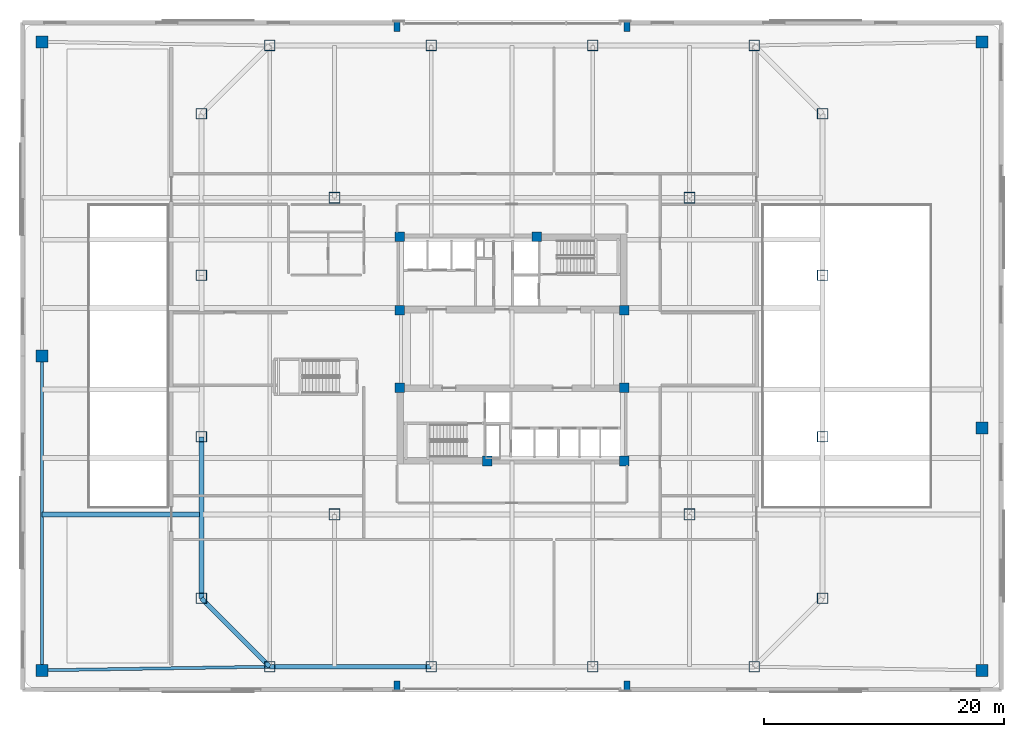
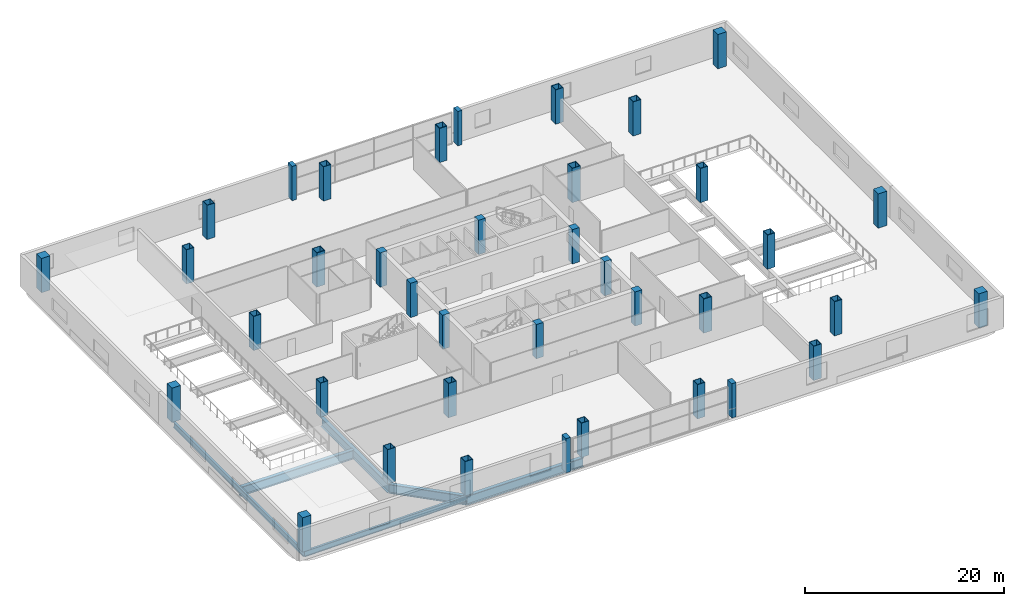
# One storey, part 1 of 21: 38 columns, 6 beams.
"""IFC4 building model written with IfcOpenShell, lengths in metres."""

from ifc_helpers import new_model, si_unit, direction, frame, origin, origin_2d, place, context, subcontext, project, spatial, rectangle, hollow_rectangle, i_section, extrude, material, material_profile, profile_set, type_object, element, save


model = new_model("IFC4")

# Units and contexts
model_context = context("Model", 3, precision=1e-05, world=origin(), true_north=direction((0.0, 1.0)))
body_context = subcontext(model_context, "Body", "Model", "MODEL_VIEW")
ifc_project = project(units=[si_unit("LENGTHUNIT", "METRE"), si_unit("AREAUNIT", "SQUARE_METRE"), si_unit("VOLUMEUNIT", "CUBIC_METRE"), si_unit("PLANEANGLEUNIT", "RADIAN"), si_unit("MASSUNIT", "GRAM", prefix="KILO")], contexts=[model_context])

# Site, building, storey
site_placement = place(None, origin())
site = spatial("IfcSite", under=ifc_project, at=site_placement, CompositionType="ELEMENT")
building_placement = place(site_placement, origin())
building = spatial("IfcBuilding", under=site, at=building_placement, Name="Qhalaya Broadcast Tower", CompositionType="ELEMENT")
storey_placement = place(building_placement, frame((0.0, 0.0, 9.300048828125)))
storey = spatial("IfcBuildingStorey", under=building, at=storey_placement, Name="L02", CompositionType="ELEMENT", Elevation=9.300048828125)

# Columns
ifc_material_1 = material(Name="Concrete C60/75", Category="concrete")
ifc_material_profile_1 = material_profile(ifc_material_1, rectangle(XDim=0.5, YDim=0.85009765625, at=origin_2d()), Name="RC-PIL 500x850")
ifc_profile_set_1 = profile_set([ifc_material_profile_1], Name="Concrete C60/75")
column_type_1 = type_object("IfcColumnType", Name="Concourse Portal Pilaster CP1", PredefinedType="PILASTER", material=ifc_profile_set_1)
for number, where, z_axis, x_axis, name in (
    (1, (-9.60009765625, -27.5, 0.0), (0.0, 0.0, 1.0), (1.0, 0.0, 0.0), "L02 Column PIL-PL1"),
    (2, (9.60009765625, -27.5, 0.0), (0.0, 0.0, 1.0), (1.0, 0.0, 0.0), "L02 Column PIL-PL2"),
    (3, (-9.60009765625, 27.5, 0.0), (0.0, 0.0, 1.0), (1.0, 0.0, 0.0), "L02 Column PIL-PL3"),
    (4, (9.60009765625, 27.5, 0.0), (0.0, 0.0, 1.0), (1.0, 0.0, 0.0), "L02 Column PIL-PL4"),
):
    element("IfcColumn", number, at=place(storey_placement, frame(where, z_axis=z_axis, x_axis=x_axis)), inside=storey, type_object=column_type_1, Name=name, PredefinedType="PILASTER", context=body_context, shape_type="SweptSolid", body=[
        extrude(rectangle(XDim=0.5, YDim=0.85009765625, at=origin_2d()), origin(), (0.0, 0.0, 1.0), 4.199951171875),
    ])
ifc_material_profile_2 = material_profile(ifc_material_1, rectangle(XDim=1.0, YDim=1.0, at=origin_2d()), Name="RC-COL 1000x1000")
ifc_profile_set_2 = profile_set([ifc_material_profile_2], Name="Concrete C60/75")
column_type_2 = type_object("IfcColumnType", Name="RC Podium Column C09", PredefinedType="COLUMN", material=ifc_profile_set_2)
for number, where, z_axis, x_axis, name in (
    (5, (-39.199951171875, 0.0, 0.0), (0.0, 0.0, 1.0), (1.0, 0.0, 0.0), "L02 Column COL-E1"),
    (6, (39.199951171875, -6.0, 0.0), (0.0, 0.0, 1.0), (1.0, 0.0, 0.0), "L02 Column COL-E2"),
    (7, (-39.199951171875, -26.199951171875, 0.0), (0.0, 0.0, 1.0), (1.0, 0.0, 0.0), "L02 Column COL-E3"),
    (8, (39.199951171875, -26.199951171875, 0.0), (0.0, 0.0, 1.0), (1.0, 0.0, 0.0), "L02 Column COL-E4"),
    (9, (-39.199951171875, 26.199951171875, 0.0), (0.0, 0.0, 1.0), (1.0, 0.0, 0.0), "L02 Column COL-E5"),
    (10, (39.199951171875, 26.199951171875, 0.0), (0.0, 0.0, 1.0), (1.0, 0.0, 0.0), "L02 Column COL-E6"),
):
    element("IfcColumn", number, at=place(storey_placement, frame(where, z_axis=z_axis, x_axis=x_axis)), inside=storey, type_object=column_type_2, Name=name, PredefinedType="COLUMN", context=body_context, shape_type="SweptSolid", body=[
        extrude(rectangle(XDim=1.0, YDim=1.0, at=origin_2d()), origin(), (0.0, 0.0, 1.0), 4.199951171875),
    ])
ifc_material_2 = material(Name="Concrete C50/60", Category="concrete")
ifc_material_profile_3 = material_profile(ifc_material_2, rectangle(XDim=0.800048828125, YDim=0.800048828125, at=origin_2d()), Name="RC-COL 800x800")
ifc_profile_set_3 = profile_set([ifc_material_profile_3], Name="Concrete C50/60")
column_type_3 = type_object("IfcColumnType", Name="RC Upper Column C10", PredefinedType="COLUMN", material=ifc_profile_set_3)
for number, where, z_axis, x_axis, name in (
    (11, (-9.375, 9.949951171875, 0.0), (0.0, 0.0, 1.0), (1.0, 0.0, 0.0), "L02 Column COL-CC1"),
    (12, (2.050048828125, 9.949951171875, 0.0), (0.0, 0.0, 1.0), (1.0, 0.0, 0.0), "L02 Column COL-CC2"),
    (13, (-9.375, 3.824951171875, 0.0), (0.0, 0.0, 1.0), (1.0, 0.0, 0.0), "L02 Column COL-CC3"),
    (14, (9.375, 3.824951171875, 0.0), (0.0, 0.0, 1.0), (1.0, 0.0, 0.0), "L02 Column COL-CC4"),
    (15, (-9.375, -2.625, 0.0), (0.0, 0.0, 1.0), (1.0, 0.0, 0.0), "L02 Column COL-CC5"),
    (16, (9.375, -2.625, 0.0), (0.0, 0.0, 1.0), (1.0, 0.0, 0.0), "L02 Column COL-CC6"),
    (17, (-2.050048828125, -8.75, 0.0), (0.0, 0.0, 1.0), (1.0, 0.0, 0.0), "L02 Column COL-CC7"),
    (18, (9.375, -8.75, 0.0), (0.0, 0.0, 1.0), (1.0, 0.0, 0.0), "L02 Column COL-CC8"),
):
    element("IfcColumn", number, at=place(storey_placement, frame(where, z_axis=z_axis, x_axis=x_axis)), inside=storey, type_object=column_type_3, Name=name, PredefinedType="COLUMN", context=body_context, shape_type="SweptSolid", body=[
        extrude(rectangle(XDim=0.800048828125, YDim=0.800048828125, at=origin_2d()), origin(), (0.0, 0.0, 1.0), 4.199951171875),
    ])
ifc_material_3 = material(Name="Structural Steel ASTM A572 Grade 50", Category="steel")
ifc_material_profile_4 = material_profile(ifc_material_3, hollow_rectangle(XDim=0.949951171875, YDim=0.949951171875, WallThickness=0.06005859375, at=origin_2d()), Name="BOX 950x950x60")
ifc_profile_set_4 = profile_set([ifc_material_profile_4], Name="Structural Steel ASTM A572 Grade 50")
column_type_4 = type_object("IfcColumnType", Name="Steel Box Column C01", PredefinedType="COLUMN", material=ifc_profile_set_4)
for number, where, z_axis, x_axis, name in (
    (19, (-14.800048828125, -13.199951171875, 0.0), (0.0, 0.0, 1.0), (1.0, 0.0, 0.0), "L02 Column COL-GR1"),
    (20, (14.800048828125, -13.199951171875, 0.0), (0.0, 0.0, 1.0), (1.0, 0.0, 0.0), "L02 Column COL-GR2"),
    (21, (-14.800048828125, 13.199951171875, 0.0), (0.0, 0.0, 1.0), (1.0, 0.0, 0.0), "L02 Column COL-GR3"),
    (22, (14.800048828125, 13.199951171875, 0.0), (0.0, 0.0, 1.0), (1.0, 0.0, 0.0), "L02 Column COL-GR4"),
):
    element("IfcColumn", number, at=place(storey_placement, frame(where, z_axis=z_axis, x_axis=x_axis)), inside=storey, type_object=column_type_4, Name=name, PredefinedType="COLUMN", context=body_context, shape_type="SweptSolid", body=[
        extrude(hollow_rectangle(XDim=0.949951171875, YDim=0.949951171875, WallThickness=0.06005859375, at=origin_2d()), origin(), (0.0, 0.0, 1.0), 4.199951171875),
    ])
ifc_material_profile_5 = material_profile(ifc_material_3, hollow_rectangle(XDim=0.89990234375, YDim=0.89990234375, WallThickness=0.054931640625, at=origin_2d()), Name="BOX 900x900x55")
ifc_profile_set_5 = profile_set([ifc_material_profile_5], Name="Structural Steel ASTM A572 Grade 50")
column_type_5 = type_object("IfcColumnType", Name="Steel Box Column C02", PredefinedType="COLUMN", material=ifc_profile_set_5)
for number, where, z_axis, x_axis, name in (
    (23, (-20.199951171875, -25.89990234375, 0.0), (0.0, 0.0, 1.0), (1.0, 0.0, 0.0), "L02 Column COL-B1P01"),
    (24, (-6.7333984375, -25.89990234375, 0.0), (0.0, 0.0, 1.0), (1.0, 0.0, 0.0), "L02 Column COL-B1P02"),
    (25, (6.7333984375, -25.89990234375, 0.0), (0.0, 0.0, 1.0), (1.0, 0.0, 0.0), "L02 Column COL-B1P03"),
    (26, (20.199951171875, -25.89990234375, 0.0), (0.0, 0.0, 1.0), (1.0, 0.0, 0.0), "L02 Column COL-B1P04"),
    (27, (25.89990234375, -20.199951171875, 0.0), (0.0, 0.0, 1.0), (0.0, 1.0, 0.0), "L02 Column COL-B1P05"),
    (28, (25.89990234375, -6.7333984375, 0.0), (0.0, 0.0, 1.0), (0.0, 1.0, 0.0), "L02 Column COL-B1P06"),
    (29, (25.89990234375, 6.7333984375, 0.0), (0.0, 0.0, 1.0), (0.0, 1.0, 0.0), "L02 Column COL-B1P07"),
    (30, (25.89990234375, 20.199951171875, 0.0), (0.0, 0.0, 1.0), (0.0, 1.0, 0.0), "L02 Column COL-B1P08"),
    (31, (20.199951171875, 25.89990234375, 0.0), (0.0, 0.0, 1.0), (1.0, 0.0, 0.0), "L02 Column COL-B1P09"),
    (32, (6.7333984375, 25.89990234375, 0.0), (0.0, 0.0, 1.0), (1.0, 0.0, 0.0), "L02 Column COL-B1P10"),
    (33, (-6.7333984375, 25.89990234375, 0.0), (0.0, 0.0, 1.0), (1.0, 0.0, 0.0), "L02 Column COL-B1P11"),
    (34, (-20.199951171875, 25.89990234375, 0.0), (0.0, 0.0, 1.0), (1.0, 0.0, 0.0), "L02 Column COL-B1P12"),
    (35, (-25.89990234375, 20.199951171875, 0.0), (0.0, 0.0, 1.0), (0.0, 1.0, 0.0), "L02 Column COL-B1P13"),
    (36, (-25.89990234375, 6.7333984375, 0.0), (0.0, 0.0, 1.0), (0.0, 1.0, 0.0), "L02 Column COL-B1P14"),
    (37, (-25.89990234375, -6.7333984375, 0.0), (0.0, 0.0, 1.0), (0.0, 1.0, 0.0), "L02 Column COL-B1P15"),
    (38, (-25.89990234375, -20.199951171875, 0.0), (0.0, 0.0, 1.0), (0.0, 1.0, 0.0), "L02 Column COL-B1P16"),
):
    element("IfcColumn", number, at=place(storey_placement, frame(where, z_axis=z_axis, x_axis=x_axis)), inside=storey, type_object=column_type_5, Name=name, PredefinedType="COLUMN", context=body_context, shape_type="SweptSolid", body=[
        extrude(hollow_rectangle(XDim=0.89990234375, YDim=0.89990234375, WallThickness=0.054931640625, at=origin_2d()), origin(), (0.0, 0.0, 1.0), 4.199951171875),
    ])

# Beams
ifc_material_4 = material(Name="Structural Steel ASTM A992 Grade 50", Category="steel")
ifc_material_profile_6 = material_profile(ifc_material_4, i_section(OverallWidth=0.25390625, OverallDepth=0.68310546875, WebThickness=0.012451171875, FlangeThickness=0.01904296875, at=origin_2d()), Name="W27X94")
ifc_profile_set_6 = profile_set([ifc_material_profile_6], Name="Structural Steel ASTM A992 Grade 50")
beam_type_1 = type_object("IfcBeamType", Name="Perimeter Ring Spandrel Beam SP1", PredefinedType="SPANDREL", material=ifc_profile_set_6)
beam_1_placement = place(storey_placement, frame((-39.199951171875, -26.199951171875, -0.66162109375), z_axis=(0.999875328998, 0.015790074776, 0.0), x_axis=(-0.015790074776, 0.999875328998, 0.0)))
element("IfcBeam", 39, at=beam_1_placement, inside=storey, type_object=beam_type_1, Name="L02 SP1 L02-SP-S1", PredefinedType="SPANDREL", context=body_context, shape_type="SweptSolid", body=[
    extrude(i_section(OverallWidth=0.25390625, OverallDepth=0.68310546875, WebThickness=0.012451171875, FlangeThickness=0.01904296875, at=origin_2d()), origin(), (0.0, 0.0, 1.0), 19.00244140625),
])
beam_2_placement = place(storey_placement, frame((-39.199951171875, -26.199951171875, -0.66162109375), z_axis=(0.0, 1.0, 0.0), x_axis=(-1.0, 0.0, 0.0)))
element("IfcBeam", 40, at=beam_2_placement, inside=storey, type_object=beam_type_1, Name="L02 SP1 L02-SP-W1", PredefinedType="SPANDREL", context=body_context, shape_type="SweptSolid", body=[
    extrude(i_section(OverallWidth=0.25390625, OverallDepth=0.68310546875, WebThickness=0.012451171875, FlangeThickness=0.01904296875, at=origin_2d()), origin(), (0.0, 0.0, 1.0), 26.199951171875),
])
ifc_material_profile_7 = material_profile(ifc_material_4, i_section(OverallWidth=0.404052734375, OverallDepth=1.117919921875, WebThickness=0.026123046875, FlangeThickness=0.044921875, at=origin_2d()), Name="W44X335")
ifc_profile_set_7 = profile_set([ifc_material_profile_7], Name="Structural Steel ASTM A992 Grade 50")
beam_type_2 = type_object("IfcBeamType", Name="Podium Long-Span Primary Girder PG1", PredefinedType="USERDEFINED", material=ifc_profile_set_7)
for number, where, z_axis, x_axis, name in (
    (41, (-20.199951171875, -25.89990234375, -0.879150390625), (1.0, 0.0, 0.0), (0.0, 1.0, 0.0), "L02 PG1 L02-PG-R01"),
    (42, (-25.89990234375, -6.7333984375, -0.879150390625), (0.0, -1.0, 0.0), (1.0, 0.0, 0.0), "L02 PG1 L02-PG-R15"),
):
    element("IfcBeam", number, at=place(storey_placement, frame(where, z_axis=z_axis, x_axis=x_axis)), inside=storey, type_object=beam_type_2, Name=name, ObjectType="GIRDER", PredefinedType="USERDEFINED", context=body_context, shape_type="SweptSolid", body=[
        extrude(i_section(OverallWidth=0.404052734375, OverallDepth=1.117919921875, WebThickness=0.026123046875, FlangeThickness=0.044921875, at=origin_2d()), origin(), (0.0, 0.0, 1.0), 13.466552734375),
    ])
beam_3_placement = place(storey_placement, frame((-25.89990234375, -20.199951171875, -0.879150390625), z_axis=(0.707106781187, -0.707106781187, 0.0), x_axis=(0.707106781187, 0.707106781187, 0.0)))
element("IfcBeam", 43, at=beam_3_placement, inside=storey, type_object=beam_type_2, Name="L02 PG1 L02-PG-R16", ObjectType="GIRDER", PredefinedType="USERDEFINED", context=body_context, shape_type="SweptSolid", body=[
    extrude(i_section(OverallWidth=0.404052734375, OverallDepth=1.117919921875, WebThickness=0.026123046875, FlangeThickness=0.044921875, at=origin_2d()), origin(), (0.0, 0.0, 1.0), 8.06103515625),
])
beam_4_placement = place(storey_placement, frame((-39.199951171875, -13.199951171875, -0.879150390625), z_axis=(1.0, 0.0, 0.0), x_axis=(0.0, 1.0, 0.0)))
element("IfcBeam", 44, at=beam_4_placement, inside=storey, type_object=beam_type_2, Name="L02 PG1 L02-PG-GS1", ObjectType="GIRDER", PredefinedType="USERDEFINED", context=body_context, shape_type="SweptSolid", body=[
    extrude(i_section(OverallWidth=0.404052734375, OverallDepth=1.117919921875, WebThickness=0.026123046875, FlangeThickness=0.044921875, at=origin_2d()), origin(), (0.0, 0.0, 1.0), 13.159912109375),
])

save(model, "model.ifc")
